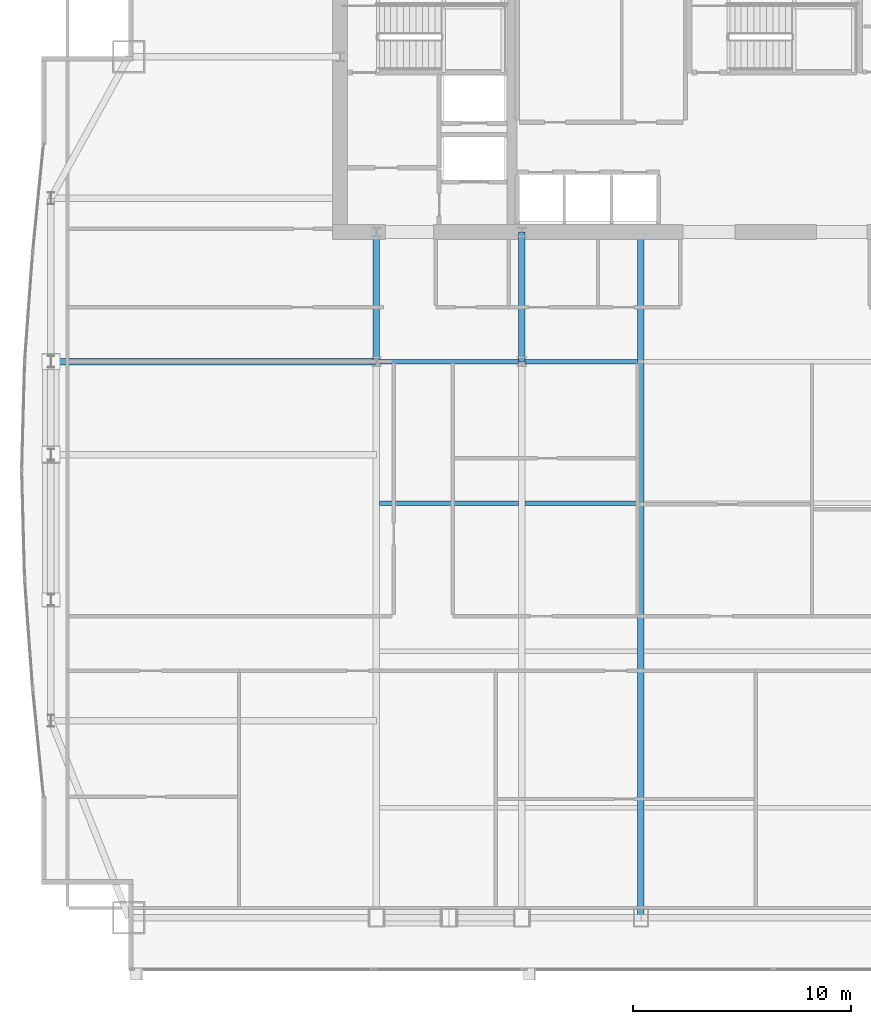
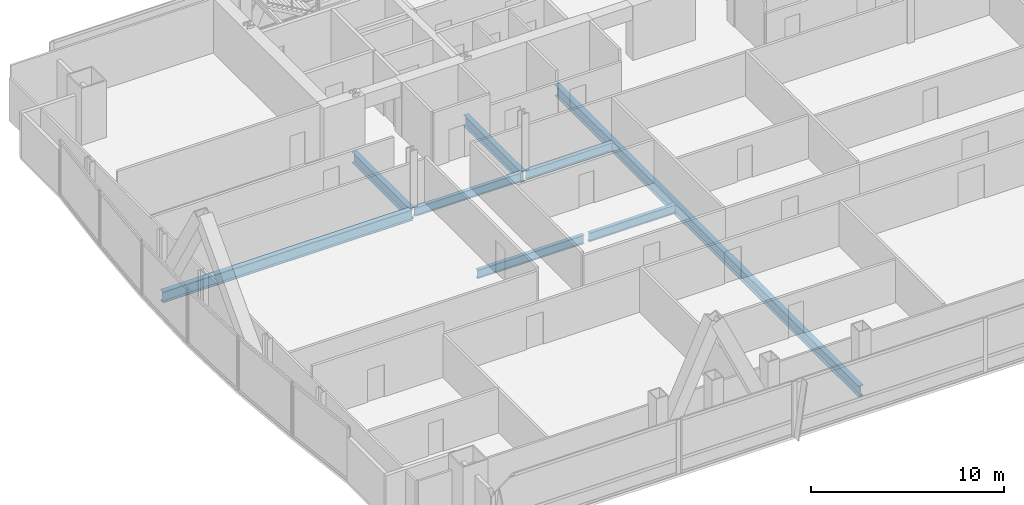
# One storey, part 12 of 31: 8 beams.
"""IFC4 building model written with IfcOpenShell, lengths in metres."""

from ifc_helpers import new_model, si_unit, direction, frame, origin, origin_2d, place, context, subcontext, project, spatial, i_section, extrude, material, material_profile, profile_set, type_object, element, save


model = new_model("IFC4")

# Units and contexts
model_context = context("Model", 3, precision=1e-05, world=origin(), true_north=direction((0.0, 1.0)))
body_context = subcontext(model_context, "Body", "Model", "MODEL_VIEW")
ifc_project = project(units=[si_unit("LENGTHUNIT", "METRE"), si_unit("AREAUNIT", "SQUARE_METRE"), si_unit("VOLUMEUNIT", "CUBIC_METRE"), si_unit("PLANEANGLEUNIT", "RADIAN"), si_unit("MASSUNIT", "GRAM", prefix="KILO")], contexts=[model_context])

# Site, building, storey
site_placement = place(None, origin())
site = spatial("IfcSite", under=ifc_project, at=site_placement, CompositionType="ELEMENT")
building_placement = place(site_placement, origin())
building = spatial("IfcBuilding", under=site, at=building_placement, Name="Khoronbel Lancet Exchange", CompositionType="ELEMENT")
storey_placement = place(building_placement, frame((0.0, 0.0, 129.0)))
storey = spatial("IfcBuildingStorey", under=building, at=storey_placement, Name="L31", CompositionType="ELEMENT", Elevation=129.0)

# Beams
ifc_material = material(Name="Steel S355", Category="steel")
ifc_material_profile_1 = material_profile(ifc_material, i_section(OverallWidth=0.300048828125, OverallDepth=0.699951171875, WebThickness=0.01708984375, FlangeThickness=0.031982421875, at=origin_2d()), Name="HEB 700")
ifc_profile_set_1 = profile_set([ifc_material_profile_1], Name="Steel S355")
beam_type_1 = type_object("IfcBeamType", Name="BM-BG3", PredefinedType="BEAM", material=ifc_profile_set_1)
for number, where, z_axis, x_axis, name in (
    (1, (18.22509765625, 35.699951171875, -0.510009765625), (0.0, 1.0, 0.0), (-1.0, 0.0, 0.0), "Level L31 spine tie girder GN1"),
    (2, (24.89990234375, 35.699951171875, -0.510009765625), (0.0, 1.0, 0.0), (-1.0, 0.0, 0.0), "Level L31 spine tie girder GN2"),
):
    element("IfcBeam", number, at=place(storey_placement, frame(where, z_axis=z_axis, x_axis=x_axis)), inside=storey, type_object=beam_type_1, Name=name, PredefinedType="BEAM", context=body_context, shape_type="SweptSolid", body=[
        extrude(i_section(OverallWidth=0.300048828125, OverallDepth=0.699951171875, WebThickness=0.01708984375, FlangeThickness=0.031982421875, at=origin_2d()), origin(), (0.0, 0.0, 1.0), 5.949951171875),
    ])
beam_1_placement = place(storey_placement, frame((30.375, 10.14990234375, -0.510009765625), z_axis=(0.0, 1.0, 0.0), x_axis=(-1.0, 0.0, 0.0)))
element("IfcBeam", 3, at=beam_1_placement, inside=storey, type_object=beam_type_1, Name="Level L31 primary floor girder G3", PredefinedType="BEAM", context=body_context, shape_type="SweptSolid", body=[
    extrude(i_section(OverallWidth=0.300048828125, OverallDepth=0.699951171875, WebThickness=0.01708984375, FlangeThickness=0.031982421875, at=origin_2d()), origin(), (0.0, 0.0, 1.0), 31.5),
])
beam_2_placement = place(storey_placement, frame((3.27001953125, 35.699951171875, -0.510009765625), z_axis=(1.0, 0.0, 0.0), x_axis=(0.0, 1.0, 0.0)))
element("IfcBeam", 4, at=beam_2_placement, inside=storey, type_object=beam_type_1, Name="Level L31 west lens tie girder LG4W", PredefinedType="BEAM", context=body_context, shape_type="SweptSolid", body=[
    extrude(i_section(OverallWidth=0.300048828125, OverallDepth=0.699951171875, WebThickness=0.01708984375, FlangeThickness=0.031982421875, at=origin_2d()), origin(), (0.0, 0.0, 1.0), 14.955078125),
])
ifc_material_profile_2 = material_profile(ifc_material, i_section(OverallWidth=0.2099609375, OverallDepth=0.550048828125, WebThickness=0.010986328125, FlangeThickness=0.01708984375, at=origin_2d()), Name="IPE 550")
ifc_profile_set_2 = profile_set([ifc_material_profile_2], Name="Steel S355")
beam_type_2 = type_object("IfcBeamType", Name="BM-BJ2", PredefinedType="JOIST", material=ifc_profile_set_2)
beam_3_placement = place(storey_placement, frame((18.375, 29.199951171875, -0.43505859375), z_axis=(1.0, 0.0, 0.0), x_axis=(0.0, 1.0, 0.0)))
element("IfcBeam", 5, at=beam_3_placement, inside=storey, type_object=beam_type_2, Name="Level L31 secondary composite joist J11", PredefinedType="JOIST", context=body_context, shape_type="SweptSolid", body=[
    extrude(i_section(OverallWidth=0.2099609375, OverallDepth=0.550048828125, WebThickness=0.010986328125, FlangeThickness=0.01708984375, at=origin_2d()), origin(), (0.0, 0.0, 1.0), 6.375),
])
beam_4_placement = place(storey_placement, frame((25.050048828125, 29.199951171875, -0.43505859375), z_axis=(1.0, 0.0, 0.0), x_axis=(0.0, 1.0, 0.0)))
element("IfcBeam", 6, at=beam_4_placement, inside=storey, type_object=beam_type_2, Name="Level L31 secondary composite joist J12", PredefinedType="JOIST", context=body_context, shape_type="SweptSolid", body=[
    extrude(i_section(OverallWidth=0.2099609375, OverallDepth=0.550048828125, WebThickness=0.010986328125, FlangeThickness=0.01708984375, at=origin_2d()), origin(), (0.0, 0.0, 1.0), 5.175048828125),
])
beam_5_placement = place(storey_placement, frame((18.375, 35.699951171875, -0.43505859375), z_axis=(1.0, 0.0, 0.0), x_axis=(0.0, 1.0, 0.0)))
element("IfcBeam", 7, at=beam_5_placement, inside=storey, type_object=beam_type_2, Name="Level L31 secondary composite joist J16", PredefinedType="JOIST", context=body_context, shape_type="SweptSolid", body=[
    extrude(i_section(OverallWidth=0.2099609375, OverallDepth=0.550048828125, WebThickness=0.010986328125, FlangeThickness=0.01708984375, at=origin_2d()), origin(), (0.0, 0.0, 1.0), 6.375),
])
beam_6_placement = place(storey_placement, frame((25.050048828125, 35.699951171875, -0.43505859375), z_axis=(1.0, 0.0, 0.0), x_axis=(0.0, 1.0, 0.0)))
element("IfcBeam", 8, at=beam_6_placement, inside=storey, type_object=beam_type_2, Name="Level L31 secondary composite joist J17", PredefinedType="JOIST", context=body_context, shape_type="SweptSolid", body=[
    extrude(i_section(OverallWidth=0.2099609375, OverallDepth=0.550048828125, WebThickness=0.010986328125, FlangeThickness=0.01708984375, at=origin_2d()), origin(), (0.0, 0.0, 1.0), 5.175048828125),
])

save(model, "model.ifc")
